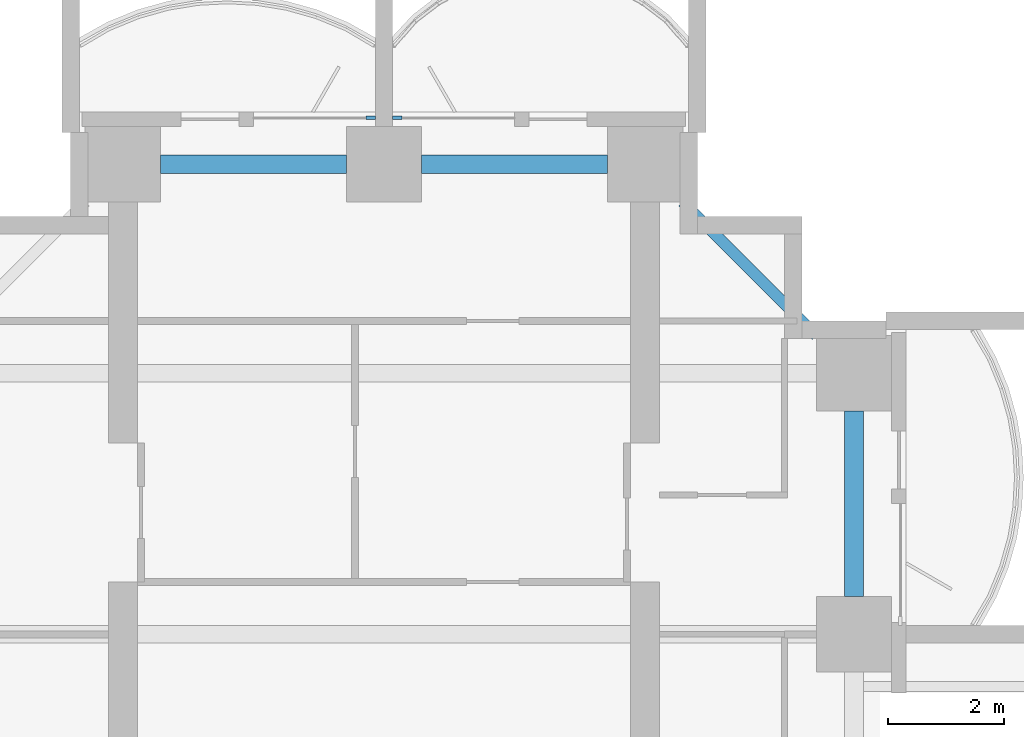
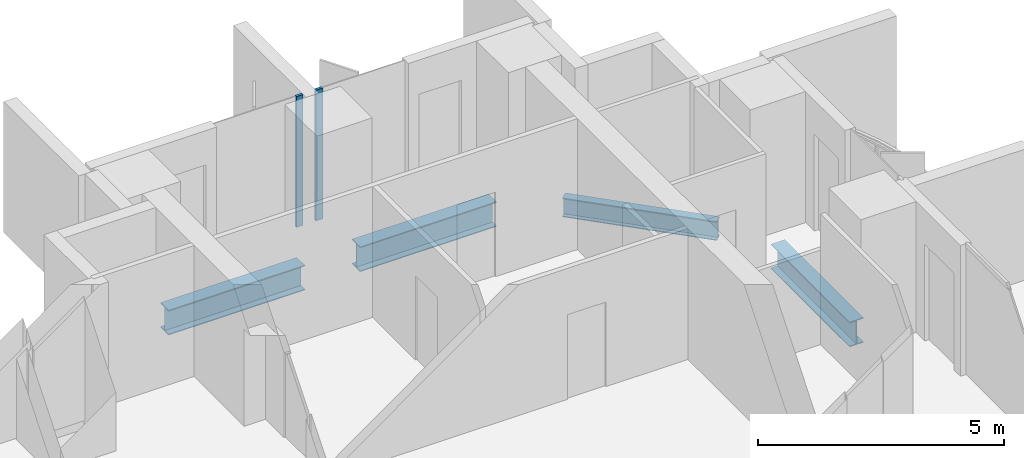
# One storey, part 7 of 21: 4 beams, 2 members, 2 elements without a shape of their own.
"""IFC4 building model written with IfcOpenShell, lengths in metres."""

from ifc_helpers import new_model, si_unit, direction, frame, origin, origin_2d, place, context, subcontext, project, spatial, rectangle, i_section, extrude, material, material_profile, profile_set, type_object, element, aggregate, save


model = new_model("IFC4")

# Units and contexts
model_context = context("Model", 3, precision=1e-05, world=origin(), true_north=direction((0.0, 1.0)))
body_context = subcontext(model_context, "Body", "Model", "MODEL_VIEW")
ifc_project = project(units=[si_unit("LENGTHUNIT", "METRE"), si_unit("AREAUNIT", "SQUARE_METRE"), si_unit("VOLUMEUNIT", "CUBIC_METRE"), si_unit("PLANEANGLEUNIT", "RADIAN"), si_unit("MASSUNIT", "GRAM", prefix="KILO")], contexts=[model_context])

# Site, building, storey
site_placement = place(None, origin())
site = spatial("IfcSite", under=ifc_project, at=site_placement, CompositionType="ELEMENT")
building_placement = place(site_placement, origin())
building = spatial("IfcBuilding", under=site, at=building_placement, Name="Perihelion Cross Residences", CompositionType="ELEMENT")
storey_placement = place(building_placement, frame((0.0, 0.0, 40.0)))
storey = spatial("IfcBuildingStorey", under=building, at=storey_placement, Name="L06", CompositionType="ELEMENT", Elevation=40.0)

# Curtain wall, member
ifc_material_1 = material(Name="Bronze anodised aluminium, tinted glazing", Category="aluminium")
curtain_wall_type = type_object("IfcCurtainWallType", Name="CW1", PredefinedType="NOTDEFINED", material=ifc_material_1)
curtain_wall_1_placement = place(storey_placement, origin())
curtain_wall_1 = element("IfcCurtainWall", 1, at=curtain_wall_1_placement, inside=storey, type_object=curtain_wall_type, Name="Curtain wall CW1 L06 north tip north bay 1", PredefinedType="NOTDEFINED")
ifc_material_2 = material(Name="Bronze anodised aluminium", Category="aluminium")
ifc_material_profile_1 = material_profile(ifc_material_2, rectangle(XDim=0.06005859375, YDim=0.159912109375, at=origin_2d()), Name="CW1 mullion")
ifc_profile_set_1 = profile_set([ifc_material_profile_1], Name="Bronze anodised aluminium")
member_type = type_object("IfcMemberType", Name="CW1 mullion", PredefinedType="MULLION", material=ifc_profile_set_1)
member_1_placement = place(storey_placement, frame((0.22998046875, 26.89990234375, 0.0), z_axis=(0.0, 0.0, 1.0), x_axis=(0.0, -1.0, 0.0)))
member_1 = element("IfcMember", 2, at=member_1_placement, type_object=member_type, Name="CW1 mullion 2", PredefinedType="MULLION", context=body_context, shape_type="SweptSolid", body=[
    extrude(rectangle(XDim=0.06005859375, YDim=0.159912109375, at=origin_2d()), origin(), (0.0, 0.0, 1.0), 3.25),
])
aggregate(curtain_wall_1, [member_1])

curtain_wall_2_placement = place(storey_placement, origin())
curtain_wall_2 = element("IfcCurtainWall", 3, at=curtain_wall_2_placement, inside=storey, type_object=curtain_wall_type, Name="Curtain wall CW1 L06 north tip north bay 2", PredefinedType="NOTDEFINED")
member_2_placement = place(storey_placement, frame((-0.22998046875, 26.89990234375, 0.0), z_axis=(0.0, 0.0, 1.0), x_axis=(0.0, -1.0, 0.0)))
member_2 = element("IfcMember", 4, at=member_2_placement, type_object=member_type, Name="CW1 mullion 1", PredefinedType="MULLION", context=body_context, shape_type="SweptSolid", body=[
    extrude(rectangle(XDim=0.06005859375, YDim=0.159912109375, at=origin_2d()), origin(), (0.0, 0.0, 1.0), 3.25),
])
aggregate(curtain_wall_2, [member_2])

# Beams
ifc_material_3 = material(Name="Steel S355", Category="steel")
ifc_material_profile_2 = material_profile(ifc_material_3, i_section(OverallWidth=0.324951171875, OverallDepth=0.616943359375, WebThickness=0.013916015625, FlangeThickness=0.021484375, at=origin_2d()), Name="W610x174")
ifc_profile_set_2 = profile_set([ifc_material_profile_2], Name="Steel S355")
beam_type_1 = type_object("IfcBeamType", Name="Edge beam W610x174", PredefinedType="SPANDREL", material=ifc_profile_set_2)
for number, where, z_axis, x_axis, name in (
    (5, (8.10009765625, 18.64990234375, -0.55859375), (0.0, 1.0, 0.0), (-1.0, 0.0, 0.0), "Edge beam SB2 L06 no. 19"),
    (6, (3.85009765625, 26.10009765625, -0.55859375), (-1.0, 0.0, 0.0), (0.0, -1.0, 0.0), "Edge beam SB2 L06 no. 15"),
    (7, (-0.64990234375, 26.10009765625, -0.55859375), (-1.0, 0.0, 0.0), (0.0, -1.0, 0.0), "Edge beam SB2 L06 no. 11"),
):
    element("IfcBeam", number, at=place(storey_placement, frame(where, z_axis=z_axis, x_axis=x_axis)), inside=storey, type_object=beam_type_1, Name=name, PredefinedType="SPANDREL", context=body_context, shape_type="SweptSolid", body=[
        extrude(i_section(OverallWidth=0.324951171875, OverallDepth=0.616943359375, WebThickness=0.013916015625, FlangeThickness=0.021484375, at=origin_2d()), origin(), (0.0, 0.0, 1.0), 3.2001953125),
    ])
ifc_material_4 = material(Name="Steel S355", Category="steel")
ifc_material_profile_3 = material_profile(ifc_material_4, i_section(OverallWidth=0.194091796875, OverallDepth=0.469970703125, WebThickness=0.0126953125, FlangeThickness=0.0205078125, at=origin_2d()), Name="W460x106")
ifc_profile_set_3 = profile_set([ifc_material_profile_3], Name="Steel S355")
beam_type_2 = type_object("IfcBeamType", Name="Serration edge beam W460x106", PredefinedType="BEAM", material=ifc_profile_set_3)
beam_placement = place(storey_placement, frame((7.449951171875, 23.14990234375, -0.485107421875), z_axis=(-0.707106781187, 0.707106781187, 0.0), x_axis=(-0.707106781187, -0.707106781187, 0.0)))
element("IfcBeam", 8, at=beam_placement, inside=storey, type_object=beam_type_2, Name="Serration edge beam EB2 L06 no. 4", PredefinedType="BEAM", context=body_context, shape_type="SweptSolid", body=[
    extrude(i_section(OverallWidth=0.194091796875, OverallDepth=0.469970703125, WebThickness=0.0126953125, FlangeThickness=0.0205078125, at=origin_2d()), origin(), (0.0, 0.0, 1.0), 3.252685546875),
])

save(model, "model.ifc")
